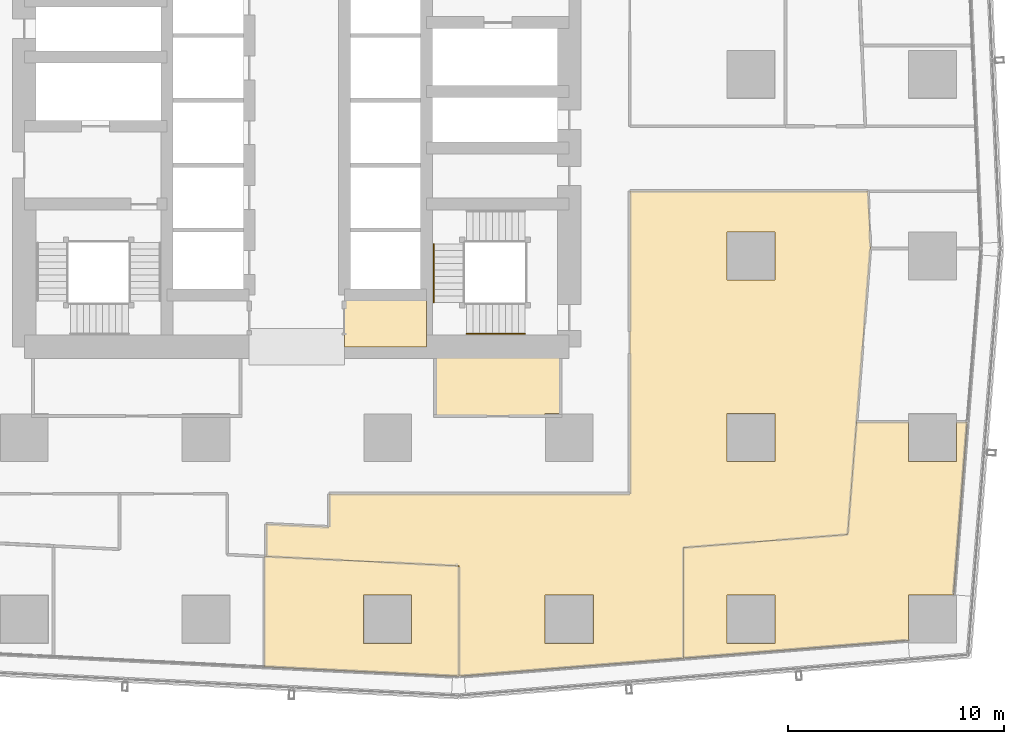
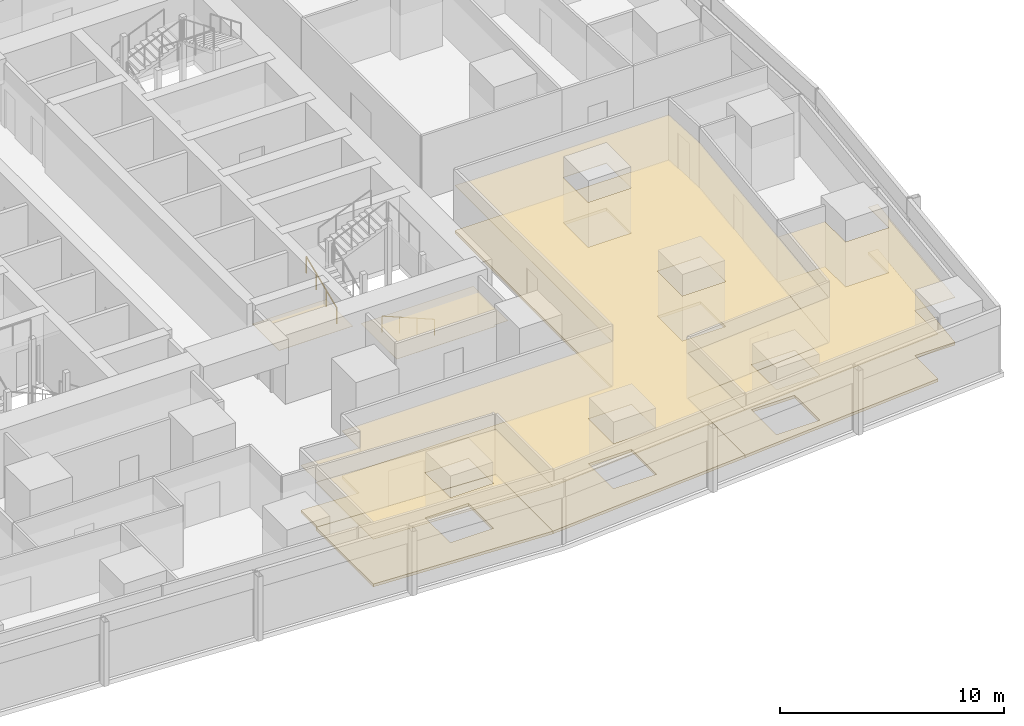
# One storey, part 38 of 44: 8 coverings, 2 railings.
"""IFC4 building model written with IfcOpenShell, lengths in metres."""

from ifc_helpers import new_model, si_unit, direction, frame, origin, origin_2d, place, context, subcontext, project, spatial, polyline, circle, outline, extrude, material, layer, layer_set, type_object, element, save


model = new_model("IFC4")

# Units and contexts
model_context = context("Model", 3, precision=1e-05, world=origin(), true_north=direction((0.0, 1.0)))
body_context = subcontext(model_context, "Body", "Model", "MODEL_VIEW")
ifc_project = project(units=[si_unit("LENGTHUNIT", "METRE"), si_unit("AREAUNIT", "SQUARE_METRE"), si_unit("VOLUMEUNIT", "CUBIC_METRE"), si_unit("PLANEANGLEUNIT", "RADIAN"), si_unit("MASSUNIT", "GRAM", prefix="KILO")], contexts=[model_context])

# Site, building, storey
site_placement = place(None, origin())
site = spatial("IfcSite", under=ifc_project, at=site_placement, CompositionType="ELEMENT")
building_placement = place(site_placement, origin())
building = spatial("IfcBuilding", under=site, at=building_placement, Name="Rekha Terrace Tower", CompositionType="ELEMENT")
storey_placement = place(building_placement, frame((0.0, 0.0, 59.14990234375)))
storey = spatial("IfcBuildingStorey", under=building, at=storey_placement, Name="L14", CompositionType="ELEMENT", Elevation=59.14990234375)

# Coverings
ifc_material_1 = material(Name="Mineral fibre tile in exposed grid", Category="finish")
ifc_layer_1 = layer(ifc_material_1, 0.02001953125)
ifc_layer_set_1 = layer_set([ifc_layer_1], Name="Mineral fibre tile in exposed grid")
covering_type_1 = type_object("IfcCoveringType", Name="CL1 600x1200 office grid ceiling", PredefinedType="CEILING", material=ifc_layer_set_1)
covering_1_placement = place(storey_placement, frame((0.0, 0.0, 2.580078125)))
element("IfcCovering", 1, at=covering_1_placement, inside=storey, type_object=covering_type_1, Name="Ceiling L14-02", PredefinedType="CEILING", context=body_context, shape_type="SweptSolid", body=[
    extrude(outline(polyline([(36.299072265625, 6.202880859375), (45.303955078125, 5.760009765625), (45.303955078125, 10.866943359375), (36.299072265625, 11.30908203125), (36.299072265625, 6.202880859375)]), holes=[polyline([(43.114990234375, 7.284912109375), (40.885009765625, 7.284912109375), (40.885009765625, 9.514892578125), (43.114990234375, 9.514892578125), (43.114990234375, 7.284912109375)])]), origin(), (0.0, 0.0, 1.0), 0.02001953125),
])
covering_2_placement = place(storey_placement, frame((0.0, 0.0, 2.580078125)))
element("IfcCovering", 2, at=covering_2_placement, inside=storey, type_object=covering_type_1, Name="Ceiling L14-03", PredefinedType="CEILING", context=body_context, shape_type="SweptSolid", body=[
    extrude(outline(polyline([(66.0849609375, 15.68505859375), (66.0849609375, 17.52294921875), (63.68798828125, 17.52294921875), (63.27490234375, 12.321044921875), (55.673095703125, 11.7119140625), (55.673095703125, 6.594970703125), (66.0849609375, 7.428955078125), (66.0849609375, 9.514892578125), (68.16796875, 9.514892578125), (68.803955078125, 17.52294921875), (68.31494140625, 17.52294921875), (68.31494140625, 15.68505859375), (66.0849609375, 15.68505859375)]), holes=[polyline([(59.9150390625, 7.284912109375), (57.68505859375, 7.284912109375), (57.68505859375, 9.514892578125), (59.9150390625, 9.514892578125), (59.9150390625, 7.284912109375)])]), origin(), (0.0, 0.0, 1.0), 0.02001953125),
])
covering_3_placement = place(storey_placement, frame((0.0, 0.0, 2.580078125)))
element("IfcCovering", 3, at=covering_3_placement, inside=storey, type_object=covering_type_1, Name="Ceiling L14-O1", PredefinedType="CEILING", context=body_context, shape_type="SweptSolid", body=[
    extrude(outline(polyline([(36.384033203125, 11.304931640625), (45.193115234375, 10.8720703125), (45.303955078125, 10.881103515625), (45.303955078125, 5.764892578125), (55.673095703125, 6.594970703125), (55.673095703125, 11.7119140625), (63.27490234375, 12.321044921875), (63.68798828125, 17.52392578125), (64.324951171875, 25.5458984375), (64.3291015625, 25.612060546875), (64.218994140625, 28.199951171875), (53.199951171875, 28.199951171875), (53.199951171875, 14.199951171875), (39.300048828125, 14.199951171875), (39.300048828125, 12.6630859375), (36.384033203125, 12.805908203125), (36.384033203125, 11.304931640625)]), holes=[polyline([(59.9150390625, 17.9150390625), (59.9150390625, 15.68505859375), (57.68505859375, 15.68505859375), (57.68505859375, 17.9150390625), (59.9150390625, 17.9150390625)]), polyline([(59.9150390625, 24.0849609375), (57.68505859375, 24.0849609375), (57.68505859375, 26.31494140625), (59.9150390625, 26.31494140625), (59.9150390625, 24.0849609375)]), polyline([(51.514892578125, 7.284912109375), (49.284912109375, 7.284912109375), (49.284912109375, 9.514892578125), (51.514892578125, 9.514892578125), (51.514892578125, 7.284912109375)])]), origin(), (0.0, 0.0, 1.0), 0.02001953125),
])
ifc_material_2 = material(Name="Fibre cement board", Category="finish")
ifc_layer_2 = layer(ifc_material_2, 0.014892578125)
ifc_layer_set_2 = layer_set([ifc_layer_2], Name="Fibre cement board")
covering_type_2 = type_object("IfcCoveringType", Name="CL2 moisture-resistant board ceiling", PredefinedType="CEILING", material=ifc_layer_set_2)
covering_4_placement = place(storey_placement, frame((0.0, 0.0, 2.585205078125)))
element("IfcCovering", 4, at=covering_4_placement, inside=storey, type_object=covering_type_2, Name="Ceiling L14-WCA", PredefinedType="CEILING", context=body_context, shape_type="SweptSolid", body=[
    extrude(outline(polyline([(43.800048828125, 23.39990234375), (40.0, 23.39990234375), (40.0, 21.0), (43.800048828125, 21.0), (43.800048828125, 23.39990234375)])), origin(), (0.0, 0.0, 1.0), 0.014892578125),
])
covering_5_placement = place(storey_placement, frame((0.0, 0.0, 2.585205078125)))
element("IfcCovering", 5, at=covering_5_placement, inside=storey, type_object=covering_type_2, Name="Ceiling L14-WCM2", PredefinedType="CEILING", context=body_context, shape_type="SweptSolid", body=[
    extrude(outline(polyline([(50.0, 21.0), (44.199951171875, 21.0), (44.199951171875, 17.800048828125), (49.284912109375, 17.800048828125), (49.284912109375, 17.9150390625), (50.0, 17.9150390625), (50.0, 21.0)])), origin(), (0.0, 0.0, 1.0), 0.014892578125),
])

# Railings
ifc_material_3 = material(Name="Stainless steel tube", Category="steel")
railing_type = type_object("IfcRailingType", Name="HR1 900 stair handrail", PredefinedType="HANDRAIL", material=ifc_material_3)
railing_1_placement = place(storey_placement, frame((48.35009765625, 21.610107421875, 0.125)))
element("IfcRailing", 6, at=railing_1_placement, inside=storey, type_object=railing_type, Name="Handrail ST3 L14 flight 1", PredefinedType="HANDRAIL", context=body_context, shape_type="SweptSolid", body=[
    extrude(circle(Radius=0.02392578125, at=origin_2d()), frame((0.0, 0.0, 0.8759765625), z_axis=(-0.923086799901, 0.0, 0.38459167938), x_axis=(0.0, -1.0, 0.0)), (0.0, 0.0, 1.0), 2.92529296875),
    extrude(circle(Radius=0.02099609375, at=origin_2d()), origin(), (0.0, 0.0, 1.0), 0.851806640625),
    extrude(circle(Radius=0.02099609375, at=origin_2d()), frame((-0.900146484375, 0.0, 0.375)), (0.0, 0.0, 1.0), 0.851806640625),
    extrude(circle(Radius=0.02099609375, at=origin_2d()), frame((-1.800048828125, 0.0, 0.75)), (0.0, 0.0, 1.0), 0.851806640625),
    extrude(circle(Radius=0.02099609375, at=origin_2d()), frame((-2.7001953125, 0.0, 1.125)), (0.0, 0.0, 1.0), 0.851806640625),
])
railing_2_placement = place(storey_placement, frame((44.135009765625, 23.050048828125, 1.375)))
element("IfcRailing", 7, at=railing_2_placement, inside=storey, type_object=railing_type, Name="Handrail ST3 L14 flight 2", PredefinedType="HANDRAIL", context=body_context, shape_type="SweptSolid", body=[
    extrude(circle(Radius=0.02392578125, at=origin_2d()), frame((0.0, 0.0, 0.8759765625), z_axis=(0.0, 0.923074453586, 0.384621311341), x_axis=(-1.0, 0.0, 0.0)), (0.0, 0.0, 1.0), 2.925048828125),
    extrude(circle(Radius=0.02099609375, at=origin_2d()), origin(), (0.0, 0.0, 1.0), 0.851806640625),
    extrude(circle(Radius=0.02099609375, at=origin_2d()), frame((0.0, 0.89990234375, 0.375)), (0.0, 0.0, 1.0), 0.851806640625),
    extrude(circle(Radius=0.02099609375, at=origin_2d()), frame((0.0, 1.800048828125, 0.75)), (0.0, 0.0, 1.0), 0.851806640625),
    extrude(circle(Radius=0.02099609375, at=origin_2d()), frame((0.0, 2.699951171875, 1.125)), (0.0, 0.0, 1.0), 0.851806640625),
])

# Coverings
ifc_material_4 = material(Name="Calcium sulphate panels on steel pedestals", Category="steel")
ifc_layer_3 = layer(ifc_material_4, 0.14990234375)
ifc_layer_set_3 = layer_set([ifc_layer_3], Name="Calcium sulphate panels on steel pedestals")
covering_type_3 = type_object("IfcCoveringType", Name="RF1 150 raised access floor", PredefinedType="FLOORING", material=ifc_layer_set_3)
covering_6_placement = place(storey_placement, origin())
element("IfcCovering", 8, at=covering_6_placement, inside=storey, type_object=covering_type_3, Name="Raised floor L14-02", PredefinedType="FLOORING", context=body_context, shape_type="SweptSolid", body=[
    extrude(outline(polyline([(36.299072265625, 6.202880859375), (45.303955078125, 5.760009765625), (45.303955078125, 10.866943359375), (36.299072265625, 11.30908203125), (36.299072265625, 6.202880859375)]), holes=[polyline([(43.114990234375, 7.284912109375), (40.885009765625, 7.284912109375), (40.885009765625, 9.514892578125), (43.114990234375, 9.514892578125), (43.114990234375, 7.284912109375)])]), origin(), (0.0, 0.0, 1.0), 0.150146484375),
])
covering_7_placement = place(storey_placement, origin())
element("IfcCovering", 9, at=covering_7_placement, inside=storey, type_object=covering_type_3, Name="Raised floor L14-03", PredefinedType="FLOORING", context=body_context, shape_type="SweptSolid", body=[
    extrude(outline(polyline([(66.0849609375, 15.68505859375), (66.0849609375, 17.52294921875), (63.68798828125, 17.52294921875), (63.27490234375, 12.321044921875), (55.673095703125, 11.7119140625), (55.673095703125, 6.594970703125), (66.0849609375, 7.428955078125), (66.0849609375, 9.514892578125), (68.16796875, 9.514892578125), (68.803955078125, 17.52294921875), (68.31494140625, 17.52294921875), (68.31494140625, 15.68505859375), (66.0849609375, 15.68505859375)]), holes=[polyline([(59.9150390625, 7.284912109375), (57.68505859375, 7.284912109375), (57.68505859375, 9.514892578125), (59.9150390625, 9.514892578125), (59.9150390625, 7.284912109375)])]), origin(), (0.0, 0.0, 1.0), 0.150146484375),
])
covering_8_placement = place(storey_placement, origin())
element("IfcCovering", 10, at=covering_8_placement, inside=storey, type_object=covering_type_3, Name="Raised floor L14-O1", PredefinedType="FLOORING", context=body_context, shape_type="SweptSolid", body=[
    extrude(outline(polyline([(36.384033203125, 11.304931640625), (45.193115234375, 10.8720703125), (45.303955078125, 10.881103515625), (45.303955078125, 5.764892578125), (55.673095703125, 6.594970703125), (55.673095703125, 11.7119140625), (63.27490234375, 12.321044921875), (63.68798828125, 17.52392578125), (64.324951171875, 25.5458984375), (64.3291015625, 25.612060546875), (64.218994140625, 28.199951171875), (53.199951171875, 28.199951171875), (53.199951171875, 14.199951171875), (39.300048828125, 14.199951171875), (39.300048828125, 12.6630859375), (36.384033203125, 12.805908203125), (36.384033203125, 11.304931640625)]), holes=[polyline([(59.9150390625, 17.9150390625), (59.9150390625, 15.68505859375), (57.68505859375, 15.68505859375), (57.68505859375, 17.9150390625), (59.9150390625, 17.9150390625)]), polyline([(59.9150390625, 24.0849609375), (57.68505859375, 24.0849609375), (57.68505859375, 26.31494140625), (59.9150390625, 26.31494140625), (59.9150390625, 24.0849609375)]), polyline([(51.514892578125, 7.284912109375), (49.284912109375, 7.284912109375), (49.284912109375, 9.514892578125), (51.514892578125, 9.514892578125), (51.514892578125, 7.284912109375)])]), origin(), (0.0, 0.0, 1.0), 0.150146484375),
])

save(model, "model.ifc")
